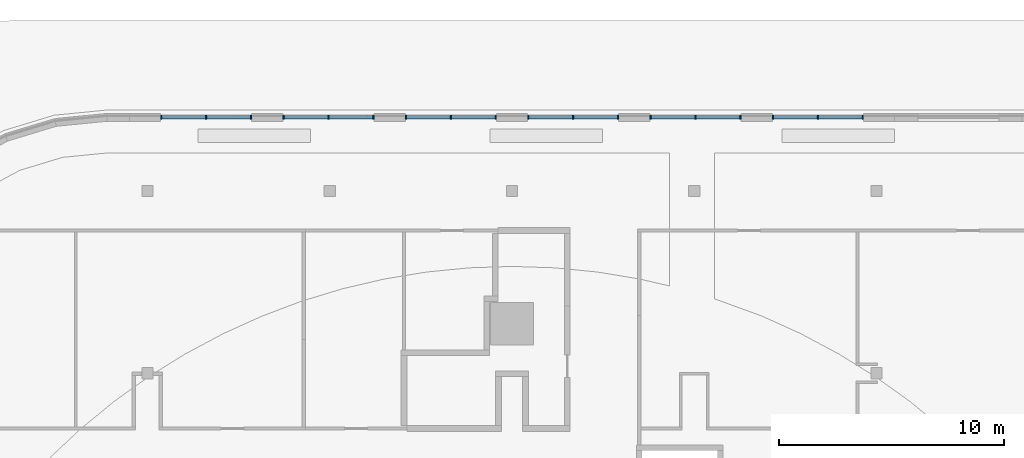
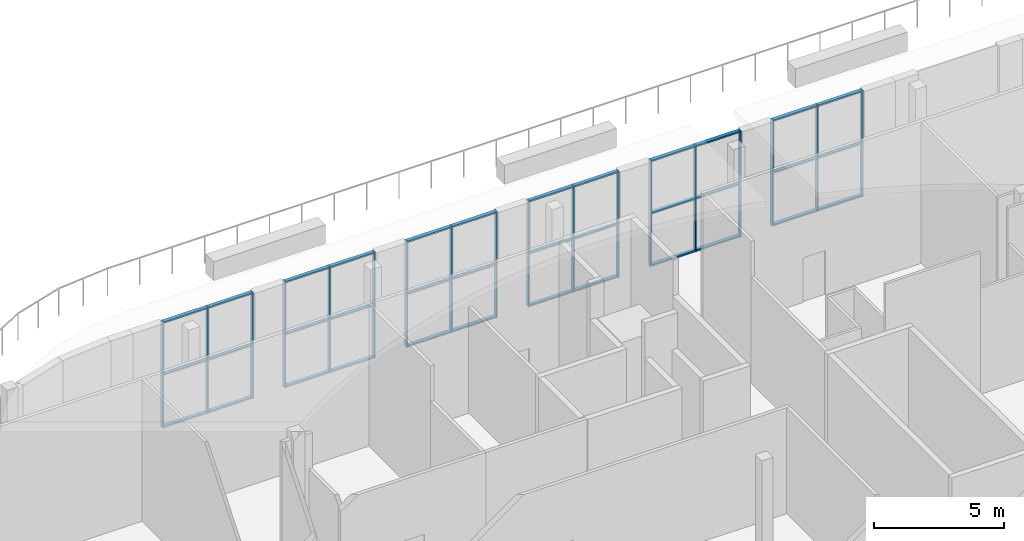
# One storey, part 4 of 17: 54 members, 6 elements without a shape of their own.
"""IFC4 building model written with IfcOpenShell, lengths in metres."""

from ifc_helpers import new_model, si_unit, direction, frame, origin, origin_2d, place, context, subcontext, project, spatial, rectangle, extrude, material, material_profile, profile_set, type_object, element, aggregate, save


model = new_model("IFC4")

# Units and contexts
model_context = context("Model", 3, precision=1e-05, world=origin(), true_north=direction((0.0, 1.0)))
body_context = subcontext(model_context, "Body", "Model", "MODEL_VIEW")
ifc_project = project(units=[si_unit("LENGTHUNIT", "METRE"), si_unit("AREAUNIT", "SQUARE_METRE"), si_unit("VOLUMEUNIT", "CUBIC_METRE"), si_unit("PLANEANGLEUNIT", "RADIAN"), si_unit("MASSUNIT", "GRAM", prefix="KILO")], contexts=[model_context])

# Site, building, storey
site_placement = place(None, origin())
site = spatial("IfcSite", under=ifc_project, at=site_placement, CompositionType="ELEMENT")
building_placement = place(site_placement, origin())
building = spatial("IfcBuilding", under=site, at=building_placement, Name="Torre Triforio", CompositionType="ELEMENT")
storey_placement = place(building_placement, frame((0.0, 0.0, 13.0)))
storey = spatial("IfcBuildingStorey", under=building, at=storey_placement, Name="L02", CompositionType="ELEMENT", Elevation=13.0)

# Curtain wall, members
ifc_material_1 = material(Name="Aluminium mullion and transom frame with clear laminated glass", Category="aluminium")
curtain_wall_type = type_object("IfcCurtainWallType", Name="Studio foyer curtain wall ECW2", PredefinedType="NOTDEFINED", material=ifc_material_1)
curtain_wall_1_placement = place(storey_placement, origin())
curtain_wall_1 = element("IfcCurtainWall", 1, at=curtain_wall_1_placement, inside=storey, type_object=curtain_wall_type, Name="Studio foyer curtain wall L02 18.1.2.1", PredefinedType="NOTDEFINED")
ifc_material_2 = material(Name="Anodised aluminium extrusion", Category="aluminium")
ifc_material_profile_1 = material_profile(ifc_material_2, rectangle(XDim=0.179931640625, YDim=0.06005859375, at=origin_2d()), Name="ECW2 MULLION 60x180")
ifc_profile_set_1 = profile_set([ifc_material_profile_1], Name="Anodised aluminium extrusion")
member_type_1 = type_object("IfcMemberType", Name="ECW2 mullion 60 x 180", PredefinedType="MULLION", material=ifc_profile_set_1)
member_1_placement = place(storey_placement, frame((15.584228515625, 35.675048828125, 0.0), z_axis=(0.0, 0.0, 1.0), x_axis=(0.0, -1.0, 0.0)))
member_1 = element("IfcMember", 2, at=member_1_placement, type_object=member_type_1, Name="ECW2 mullion 1", PredefinedType="MULLION", context=body_context, shape_type="SweptSolid", body=[
    extrude(rectangle(XDim=0.179931640625, YDim=0.06005859375, at=origin_2d()), origin(), (0.0, 0.0, 1.0), 5.0),
])
member_2_placement = place(storey_placement, frame((13.58935546875, 35.675048828125, 0.0), z_axis=(0.0, 0.0, 1.0), x_axis=(0.0, -1.0, 0.0)))
member_2 = element("IfcMember", 3, at=member_2_placement, type_object=member_type_1, Name="ECW2 mullion 2", PredefinedType="MULLION", context=body_context, shape_type="SweptSolid", body=[
    extrude(rectangle(XDim=0.179931640625, YDim=0.06005859375, at=origin_2d()), origin(), (0.0, 0.0, 1.0), 5.0),
])
member_3_placement = place(storey_placement, frame((11.59423828125, 35.675048828125, 0.0), z_axis=(0.0, 0.0, 1.0), x_axis=(0.0, -1.0, 0.0)))
member_3 = element("IfcMember", 4, at=member_3_placement, type_object=member_type_1, Name="ECW2 mullion 3", PredefinedType="MULLION", context=body_context, shape_type="SweptSolid", body=[
    extrude(rectangle(XDim=0.179931640625, YDim=0.06005859375, at=origin_2d()), origin(), (0.0, 0.0, 1.0), 5.0),
])

curtain_wall_2_placement = place(storey_placement, origin())
curtain_wall_2 = element("IfcCurtainWall", 5, at=curtain_wall_2_placement, inside=storey, type_object=curtain_wall_type, Name="Studio foyer curtain wall L02 18.1.2.2", PredefinedType="NOTDEFINED")
member_4_placement = place(storey_placement, frame((10.148681640625, 35.675048828125, 0.0), z_axis=(0.0, 0.0, 1.0), x_axis=(0.0, -1.0, 0.0)))
member_4 = element("IfcMember", 6, at=member_4_placement, type_object=member_type_1, Name="ECW2 mullion 1", PredefinedType="MULLION", context=body_context, shape_type="SweptSolid", body=[
    extrude(rectangle(XDim=0.179931640625, YDim=0.06005859375, at=origin_2d()), origin(), (0.0, 0.0, 1.0), 5.0),
])
member_5_placement = place(storey_placement, frame((8.153564453125, 35.675048828125, 0.0), z_axis=(0.0, 0.0, 1.0), x_axis=(0.0, -1.0, 0.0)))
member_5 = element("IfcMember", 7, at=member_5_placement, type_object=member_type_1, Name="ECW2 mullion 2", PredefinedType="MULLION", context=body_context, shape_type="SweptSolid", body=[
    extrude(rectangle(XDim=0.179931640625, YDim=0.06005859375, at=origin_2d()), origin(), (0.0, 0.0, 1.0), 5.0),
])
member_6_placement = place(storey_placement, frame((6.15869140625, 35.675048828125, 0.0), z_axis=(0.0, 0.0, 1.0), x_axis=(0.0, -1.0, 0.0)))
member_6 = element("IfcMember", 8, at=member_6_placement, type_object=member_type_1, Name="ECW2 mullion 3", PredefinedType="MULLION", context=body_context, shape_type="SweptSolid", body=[
    extrude(rectangle(XDim=0.179931640625, YDim=0.06005859375, at=origin_2d()), origin(), (0.0, 0.0, 1.0), 5.0),
])

curtain_wall_3_placement = place(storey_placement, origin())
curtain_wall_3 = element("IfcCurtainWall", 9, at=curtain_wall_3_placement, inside=storey, type_object=curtain_wall_type, Name="Studio foyer curtain wall L02 18.1.2.3", PredefinedType="NOTDEFINED")
member_7_placement = place(storey_placement, frame((4.712890625, 35.675048828125, 0.0), z_axis=(0.0, 0.0, 1.0), x_axis=(0.0, -1.0, 0.0)))
member_7 = element("IfcMember", 10, at=member_7_placement, type_object=member_type_1, Name="ECW2 mullion 1", PredefinedType="MULLION", context=body_context, shape_type="SweptSolid", body=[
    extrude(rectangle(XDim=0.179931640625, YDim=0.06005859375, at=origin_2d()), origin(), (0.0, 0.0, 1.0), 5.0),
])
member_8_placement = place(storey_placement, frame((2.718017578125, 35.675048828125, 0.0), z_axis=(0.0, 0.0, 1.0), x_axis=(0.0, -1.0, 0.0)))
member_8 = element("IfcMember", 11, at=member_8_placement, type_object=member_type_1, Name="ECW2 mullion 2", PredefinedType="MULLION", context=body_context, shape_type="SweptSolid", body=[
    extrude(rectangle(XDim=0.179931640625, YDim=0.06005859375, at=origin_2d()), origin(), (0.0, 0.0, 1.0), 5.0),
])
member_9_placement = place(storey_placement, frame((0.722900390625, 35.675048828125, 0.0), z_axis=(0.0, 0.0, 1.0), x_axis=(0.0, -1.0, 0.0)))
member_9 = element("IfcMember", 12, at=member_9_placement, type_object=member_type_1, Name="ECW2 mullion 3", PredefinedType="MULLION", context=body_context, shape_type="SweptSolid", body=[
    extrude(rectangle(XDim=0.179931640625, YDim=0.06005859375, at=origin_2d()), origin(), (0.0, 0.0, 1.0), 5.0),
])

curtain_wall_4_placement = place(storey_placement, origin())
curtain_wall_4 = element("IfcCurtainWall", 13, at=curtain_wall_4_placement, inside=storey, type_object=curtain_wall_type, Name="Studio foyer curtain wall L02 18.1.2.4", PredefinedType="NOTDEFINED")
member_10_placement = place(storey_placement, frame((-0.722900390625, 35.675048828125, 0.0), z_axis=(0.0, 0.0, 1.0), x_axis=(0.0, -1.0, 0.0)))
member_10 = element("IfcMember", 14, at=member_10_placement, type_object=member_type_1, Name="ECW2 mullion 1", PredefinedType="MULLION", context=body_context, shape_type="SweptSolid", body=[
    extrude(rectangle(XDim=0.179931640625, YDim=0.06005859375, at=origin_2d()), origin(), (0.0, 0.0, 1.0), 5.0),
])
member_11_placement = place(storey_placement, frame((-2.718017578125, 35.675048828125, 0.0), z_axis=(0.0, 0.0, 1.0), x_axis=(0.0, -1.0, 0.0)))
member_11 = element("IfcMember", 15, at=member_11_placement, type_object=member_type_1, Name="ECW2 mullion 2", PredefinedType="MULLION", context=body_context, shape_type="SweptSolid", body=[
    extrude(rectangle(XDim=0.179931640625, YDim=0.06005859375, at=origin_2d()), origin(), (0.0, 0.0, 1.0), 5.0),
])
member_12_placement = place(storey_placement, frame((-4.712890625, 35.675048828125, 0.0), z_axis=(0.0, 0.0, 1.0), x_axis=(0.0, -1.0, 0.0)))
member_12 = element("IfcMember", 16, at=member_12_placement, type_object=member_type_1, Name="ECW2 mullion 3", PredefinedType="MULLION", context=body_context, shape_type="SweptSolid", body=[
    extrude(rectangle(XDim=0.179931640625, YDim=0.06005859375, at=origin_2d()), origin(), (0.0, 0.0, 1.0), 5.0),
])

curtain_wall_5_placement = place(storey_placement, origin())
curtain_wall_5 = element("IfcCurtainWall", 17, at=curtain_wall_5_placement, inside=storey, type_object=curtain_wall_type, Name="Studio foyer curtain wall L02 18.1.2.5", PredefinedType="NOTDEFINED")
member_13_placement = place(storey_placement, frame((-6.15869140625, 35.675048828125, 0.0), z_axis=(0.0, 0.0, 1.0), x_axis=(0.0, -1.0, 0.0)))
member_13 = element("IfcMember", 18, at=member_13_placement, type_object=member_type_1, Name="ECW2 mullion 1", PredefinedType="MULLION", context=body_context, shape_type="SweptSolid", body=[
    extrude(rectangle(XDim=0.179931640625, YDim=0.06005859375, at=origin_2d()), origin(), (0.0, 0.0, 1.0), 5.0),
])
member_14_placement = place(storey_placement, frame((-8.153564453125, 35.675048828125, 0.0), z_axis=(0.0, 0.0, 1.0), x_axis=(0.0, -1.0, 0.0)))
member_14 = element("IfcMember", 19, at=member_14_placement, type_object=member_type_1, Name="ECW2 mullion 2", PredefinedType="MULLION", context=body_context, shape_type="SweptSolid", body=[
    extrude(rectangle(XDim=0.179931640625, YDim=0.06005859375, at=origin_2d()), origin(), (0.0, 0.0, 1.0), 5.0),
])
member_15_placement = place(storey_placement, frame((-10.148681640625, 35.675048828125, 0.0), z_axis=(0.0, 0.0, 1.0), x_axis=(0.0, -1.0, 0.0)))
member_15 = element("IfcMember", 20, at=member_15_placement, type_object=member_type_1, Name="ECW2 mullion 3", PredefinedType="MULLION", context=body_context, shape_type="SweptSolid", body=[
    extrude(rectangle(XDim=0.179931640625, YDim=0.06005859375, at=origin_2d()), origin(), (0.0, 0.0, 1.0), 5.0),
])

curtain_wall_6_placement = place(storey_placement, origin())
curtain_wall_6 = element("IfcCurtainWall", 21, at=curtain_wall_6_placement, inside=storey, type_object=curtain_wall_type, Name="Studio foyer curtain wall L02 18.1.2.6", PredefinedType="NOTDEFINED")
member_16_placement = place(storey_placement, frame((-11.59423828125, 35.675048828125, 0.0), z_axis=(0.0, 0.0, 1.0), x_axis=(0.0, -1.0, 0.0)))
member_16 = element("IfcMember", 22, at=member_16_placement, type_object=member_type_1, Name="ECW2 mullion 1", PredefinedType="MULLION", context=body_context, shape_type="SweptSolid", body=[
    extrude(rectangle(XDim=0.179931640625, YDim=0.06005859375, at=origin_2d()), origin(), (0.0, 0.0, 1.0), 5.0),
])
member_17_placement = place(storey_placement, frame((-13.58935546875, 35.675048828125, 0.0), z_axis=(0.0, 0.0, 1.0), x_axis=(0.0, -1.0, 0.0)))
member_17 = element("IfcMember", 23, at=member_17_placement, type_object=member_type_1, Name="ECW2 mullion 2", PredefinedType="MULLION", context=body_context, shape_type="SweptSolid", body=[
    extrude(rectangle(XDim=0.179931640625, YDim=0.06005859375, at=origin_2d()), origin(), (0.0, 0.0, 1.0), 5.0),
])
member_18_placement = place(storey_placement, frame((-15.584228515625, 35.675048828125, 0.0), z_axis=(0.0, 0.0, 1.0), x_axis=(0.0, -1.0, 0.0)))
member_18 = element("IfcMember", 24, at=member_18_placement, type_object=member_type_1, Name="ECW2 mullion 3", PredefinedType="MULLION", context=body_context, shape_type="SweptSolid", body=[
    extrude(rectangle(XDim=0.179931640625, YDim=0.06005859375, at=origin_2d()), origin(), (0.0, 0.0, 1.0), 5.0),
])

# Member
ifc_material_profile_2 = material_profile(ifc_material_2, rectangle(XDim=0.159912109375, YDim=0.070068359375, at=origin_2d()), Name="ECW2 TRANSOM 70x160")
ifc_profile_set_2 = profile_set([ifc_material_profile_2], Name="Anodised aluminium extrusion")
member_type_2 = type_object("IfcMemberType", Name="ECW2 transom 70 x 160", PredefinedType="USERDEFINED", material=ifc_profile_set_2)
member_19_placement = place(storey_placement, frame((15.55419921875, 35.675048828125, 0.034912109375), z_axis=(-1.0, 0.0, 0.0), x_axis=(0.0, -1.0, 0.0)))
member_19 = element("IfcMember", 25, at=member_19_placement, type_object=member_type_2, Name="ECW2 transom 1.1", ObjectType="TRANSOM", PredefinedType="USERDEFINED", context=body_context, shape_type="SweptSolid", body=[
    extrude(rectangle(XDim=0.159912109375, YDim=0.070068359375, at=origin_2d()), origin(), (0.0, 0.0, 1.0), 1.934814453125),
])

member_20_placement = place(storey_placement, frame((15.55419921875, 35.675048828125, 2.5), z_axis=(-1.0, 0.0, 0.0), x_axis=(0.0, -1.0, 0.0)))
member_20 = element("IfcMember", 26, at=member_20_placement, type_object=member_type_2, Name="ECW2 transom 1.2", ObjectType="TRANSOM", PredefinedType="USERDEFINED", context=body_context, shape_type="SweptSolid", body=[
    extrude(rectangle(XDim=0.159912109375, YDim=0.070068359375, at=origin_2d()), origin(), (0.0, 0.0, 1.0), 1.934814453125),
])

member_21_placement = place(storey_placement, frame((15.55419921875, 35.675048828125, 4.965087890625), z_axis=(-1.0, 0.0, 0.0), x_axis=(0.0, -1.0, 0.0)))
member_21 = element("IfcMember", 27, at=member_21_placement, type_object=member_type_2, Name="ECW2 transom 1.3", ObjectType="TRANSOM", PredefinedType="USERDEFINED", context=body_context, shape_type="SweptSolid", body=[
    extrude(rectangle(XDim=0.159912109375, YDim=0.070068359375, at=origin_2d()), origin(), (0.0, 0.0, 1.0), 1.934814453125),
])

member_22_placement = place(storey_placement, frame((13.559326171875, 35.675048828125, 0.034912109375), z_axis=(-1.0, 0.0, 0.0), x_axis=(0.0, -1.0, 0.0)))
member_22 = element("IfcMember", 28, at=member_22_placement, type_object=member_type_2, Name="ECW2 transom 2.1", ObjectType="TRANSOM", PredefinedType="USERDEFINED", context=body_context, shape_type="SweptSolid", body=[
    extrude(rectangle(XDim=0.159912109375, YDim=0.070068359375, at=origin_2d()), origin(), (0.0, 0.0, 1.0), 1.93505859375),
])

member_23_placement = place(storey_placement, frame((13.559326171875, 35.675048828125, 2.5), z_axis=(-1.0, 0.0, 0.0), x_axis=(0.0, -1.0, 0.0)))
member_23 = element("IfcMember", 29, at=member_23_placement, type_object=member_type_2, Name="ECW2 transom 2.2", ObjectType="TRANSOM", PredefinedType="USERDEFINED", context=body_context, shape_type="SweptSolid", body=[
    extrude(rectangle(XDim=0.159912109375, YDim=0.070068359375, at=origin_2d()), origin(), (0.0, 0.0, 1.0), 1.93505859375),
])

member_24_placement = place(storey_placement, frame((13.559326171875, 35.675048828125, 4.965087890625), z_axis=(-1.0, 0.0, 0.0), x_axis=(0.0, -1.0, 0.0)))
member_24 = element("IfcMember", 30, at=member_24_placement, type_object=member_type_2, Name="ECW2 transom 2.3", ObjectType="TRANSOM", PredefinedType="USERDEFINED", context=body_context, shape_type="SweptSolid", body=[
    extrude(rectangle(XDim=0.159912109375, YDim=0.070068359375, at=origin_2d()), origin(), (0.0, 0.0, 1.0), 1.93505859375),
])

aggregate(curtain_wall_1, [member_1, member_2, member_3, member_19, member_20, member_21, member_22, member_23, member_24])

member_25_placement = place(storey_placement, frame((10.11865234375, 35.675048828125, 0.034912109375), z_axis=(-1.0, 0.0, 0.0), x_axis=(0.0, -1.0, 0.0)))
member_25 = element("IfcMember", 31, at=member_25_placement, type_object=member_type_2, Name="ECW2 transom 1.1", ObjectType="TRANSOM", PredefinedType="USERDEFINED", context=body_context, shape_type="SweptSolid", body=[
    extrude(rectangle(XDim=0.159912109375, YDim=0.070068359375, at=origin_2d()), origin(), (0.0, 0.0, 1.0), 1.93505859375),
])

member_26_placement = place(storey_placement, frame((10.11865234375, 35.675048828125, 2.5), z_axis=(-1.0, 0.0, 0.0), x_axis=(0.0, -1.0, 0.0)))
member_26 = element("IfcMember", 32, at=member_26_placement, type_object=member_type_2, Name="ECW2 transom 1.2", ObjectType="TRANSOM", PredefinedType="USERDEFINED", context=body_context, shape_type="SweptSolid", body=[
    extrude(rectangle(XDim=0.159912109375, YDim=0.070068359375, at=origin_2d()), origin(), (0.0, 0.0, 1.0), 1.93505859375),
])

member_27_placement = place(storey_placement, frame((10.11865234375, 35.675048828125, 4.965087890625), z_axis=(-1.0, 0.0, 0.0), x_axis=(0.0, -1.0, 0.0)))
member_27 = element("IfcMember", 33, at=member_27_placement, type_object=member_type_2, Name="ECW2 transom 1.3", ObjectType="TRANSOM", PredefinedType="USERDEFINED", context=body_context, shape_type="SweptSolid", body=[
    extrude(rectangle(XDim=0.159912109375, YDim=0.070068359375, at=origin_2d()), origin(), (0.0, 0.0, 1.0), 1.93505859375),
])

member_28_placement = place(storey_placement, frame((8.12353515625, 35.675048828125, 0.034912109375), z_axis=(-1.0, 0.0, 0.0), x_axis=(0.0, -1.0, 0.0)))
member_28 = element("IfcMember", 34, at=member_28_placement, type_object=member_type_2, Name="ECW2 transom 2.1", ObjectType="TRANSOM", PredefinedType="USERDEFINED", context=body_context, shape_type="SweptSolid", body=[
    extrude(rectangle(XDim=0.159912109375, YDim=0.070068359375, at=origin_2d()), origin(), (0.0, 0.0, 1.0), 1.934814453125),
])

member_29_placement = place(storey_placement, frame((8.12353515625, 35.675048828125, 2.5), z_axis=(-1.0, 0.0, 0.0), x_axis=(0.0, -1.0, 0.0)))
member_29 = element("IfcMember", 35, at=member_29_placement, type_object=member_type_2, Name="ECW2 transom 2.2", ObjectType="TRANSOM", PredefinedType="USERDEFINED", context=body_context, shape_type="SweptSolid", body=[
    extrude(rectangle(XDim=0.159912109375, YDim=0.070068359375, at=origin_2d()), origin(), (0.0, 0.0, 1.0), 1.934814453125),
])

member_30_placement = place(storey_placement, frame((8.12353515625, 35.675048828125, 4.965087890625), z_axis=(-1.0, 0.0, 0.0), x_axis=(0.0, -1.0, 0.0)))
member_30 = element("IfcMember", 36, at=member_30_placement, type_object=member_type_2, Name="ECW2 transom 2.3", ObjectType="TRANSOM", PredefinedType="USERDEFINED", context=body_context, shape_type="SweptSolid", body=[
    extrude(rectangle(XDim=0.159912109375, YDim=0.070068359375, at=origin_2d()), origin(), (0.0, 0.0, 1.0), 1.934814453125),
])

aggregate(curtain_wall_2, [member_4, member_5, member_6, member_25, member_26, member_27, member_28, member_29, member_30])

member_31_placement = place(storey_placement, frame((4.682861328125, 35.675048828125, 0.034912109375), z_axis=(-1.0, 0.0, 0.0), x_axis=(0.0, -1.0, 0.0)))
member_31 = element("IfcMember", 37, at=member_31_placement, type_object=member_type_2, Name="ECW2 transom 1.1", ObjectType="TRANSOM", PredefinedType="USERDEFINED", context=body_context, shape_type="SweptSolid", body=[
    extrude(rectangle(XDim=0.159912109375, YDim=0.070068359375, at=origin_2d()), origin(), (0.0, 0.0, 1.0), 1.93505859375),
])

member_32_placement = place(storey_placement, frame((4.682861328125, 35.675048828125, 2.5), z_axis=(-1.0, 0.0, 0.0), x_axis=(0.0, -1.0, 0.0)))
member_32 = element("IfcMember", 38, at=member_32_placement, type_object=member_type_2, Name="ECW2 transom 1.2", ObjectType="TRANSOM", PredefinedType="USERDEFINED", context=body_context, shape_type="SweptSolid", body=[
    extrude(rectangle(XDim=0.159912109375, YDim=0.070068359375, at=origin_2d()), origin(), (0.0, 0.0, 1.0), 1.93505859375),
])

member_33_placement = place(storey_placement, frame((4.682861328125, 35.675048828125, 4.965087890625), z_axis=(-1.0, 0.0, 0.0), x_axis=(0.0, -1.0, 0.0)))
member_33 = element("IfcMember", 39, at=member_33_placement, type_object=member_type_2, Name="ECW2 transom 1.3", ObjectType="TRANSOM", PredefinedType="USERDEFINED", context=body_context, shape_type="SweptSolid", body=[
    extrude(rectangle(XDim=0.159912109375, YDim=0.070068359375, at=origin_2d()), origin(), (0.0, 0.0, 1.0), 1.93505859375),
])

member_34_placement = place(storey_placement, frame((2.68798828125, 35.675048828125, 0.034912109375), z_axis=(-1.0, 0.0, 0.0), x_axis=(0.0, -1.0, 0.0)))
member_34 = element("IfcMember", 40, at=member_34_placement, type_object=member_type_2, Name="ECW2 transom 2.1", ObjectType="TRANSOM", PredefinedType="USERDEFINED", context=body_context, shape_type="SweptSolid", body=[
    extrude(rectangle(XDim=0.159912109375, YDim=0.070068359375, at=origin_2d()), origin(), (0.0, 0.0, 1.0), 1.93505859375),
])

member_35_placement = place(storey_placement, frame((2.68798828125, 35.675048828125, 2.5), z_axis=(-1.0, 0.0, 0.0), x_axis=(0.0, -1.0, 0.0)))
member_35 = element("IfcMember", 41, at=member_35_placement, type_object=member_type_2, Name="ECW2 transom 2.2", ObjectType="TRANSOM", PredefinedType="USERDEFINED", context=body_context, shape_type="SweptSolid", body=[
    extrude(rectangle(XDim=0.159912109375, YDim=0.070068359375, at=origin_2d()), origin(), (0.0, 0.0, 1.0), 1.93505859375),
])

member_36_placement = place(storey_placement, frame((2.68798828125, 35.675048828125, 4.965087890625), z_axis=(-1.0, 0.0, 0.0), x_axis=(0.0, -1.0, 0.0)))
member_36 = element("IfcMember", 42, at=member_36_placement, type_object=member_type_2, Name="ECW2 transom 2.3", ObjectType="TRANSOM", PredefinedType="USERDEFINED", context=body_context, shape_type="SweptSolid", body=[
    extrude(rectangle(XDim=0.159912109375, YDim=0.070068359375, at=origin_2d()), origin(), (0.0, 0.0, 1.0), 1.93505859375),
])

aggregate(curtain_wall_3, [member_7, member_8, member_9, member_31, member_32, member_33, member_34, member_35, member_36])

member_37_placement = place(storey_placement, frame((-0.7529296875, 35.675048828125, 0.034912109375), z_axis=(-1.0, 0.0, 0.0), x_axis=(0.0, -1.0, 0.0)))
member_37 = element("IfcMember", 43, at=member_37_placement, type_object=member_type_2, Name="ECW2 transom 1.1", ObjectType="TRANSOM", PredefinedType="USERDEFINED", context=body_context, shape_type="SweptSolid", body=[
    extrude(rectangle(XDim=0.159912109375, YDim=0.070068359375, at=origin_2d()), origin(), (0.0, 0.0, 1.0), 1.93505859375),
])

member_38_placement = place(storey_placement, frame((-0.7529296875, 35.675048828125, 2.5), z_axis=(-1.0, 0.0, 0.0), x_axis=(0.0, -1.0, 0.0)))
member_38 = element("IfcMember", 44, at=member_38_placement, type_object=member_type_2, Name="ECW2 transom 1.2", ObjectType="TRANSOM", PredefinedType="USERDEFINED", context=body_context, shape_type="SweptSolid", body=[
    extrude(rectangle(XDim=0.159912109375, YDim=0.070068359375, at=origin_2d()), origin(), (0.0, 0.0, 1.0), 1.93505859375),
])

member_39_placement = place(storey_placement, frame((-0.7529296875, 35.675048828125, 4.965087890625), z_axis=(-1.0, 0.0, 0.0), x_axis=(0.0, -1.0, 0.0)))
member_39 = element("IfcMember", 45, at=member_39_placement, type_object=member_type_2, Name="ECW2 transom 1.3", ObjectType="TRANSOM", PredefinedType="USERDEFINED", context=body_context, shape_type="SweptSolid", body=[
    extrude(rectangle(XDim=0.159912109375, YDim=0.070068359375, at=origin_2d()), origin(), (0.0, 0.0, 1.0), 1.93505859375),
])

member_40_placement = place(storey_placement, frame((-2.747802734375, 35.675048828125, 0.034912109375), z_axis=(-1.0, 0.0, 0.0), x_axis=(0.0, -1.0, 0.0)))
member_40 = element("IfcMember", 46, at=member_40_placement, type_object=member_type_2, Name="ECW2 transom 2.1", ObjectType="TRANSOM", PredefinedType="USERDEFINED", context=body_context, shape_type="SweptSolid", body=[
    extrude(rectangle(XDim=0.159912109375, YDim=0.070068359375, at=origin_2d()), origin(), (0.0, 0.0, 1.0), 1.93505859375),
])

member_41_placement = place(storey_placement, frame((-2.747802734375, 35.675048828125, 2.5), z_axis=(-1.0, 0.0, 0.0), x_axis=(0.0, -1.0, 0.0)))
member_41 = element("IfcMember", 47, at=member_41_placement, type_object=member_type_2, Name="ECW2 transom 2.2", ObjectType="TRANSOM", PredefinedType="USERDEFINED", context=body_context, shape_type="SweptSolid", body=[
    extrude(rectangle(XDim=0.159912109375, YDim=0.070068359375, at=origin_2d()), origin(), (0.0, 0.0, 1.0), 1.93505859375),
])

member_42_placement = place(storey_placement, frame((-2.747802734375, 35.675048828125, 4.965087890625), z_axis=(-1.0, 0.0, 0.0), x_axis=(0.0, -1.0, 0.0)))
member_42 = element("IfcMember", 48, at=member_42_placement, type_object=member_type_2, Name="ECW2 transom 2.3", ObjectType="TRANSOM", PredefinedType="USERDEFINED", context=body_context, shape_type="SweptSolid", body=[
    extrude(rectangle(XDim=0.159912109375, YDim=0.070068359375, at=origin_2d()), origin(), (0.0, 0.0, 1.0), 1.93505859375),
])

aggregate(curtain_wall_4, [member_10, member_11, member_12, member_37, member_38, member_39, member_40, member_41, member_42])

member_43_placement = place(storey_placement, frame((-6.188720703125, 35.675048828125, 0.034912109375), z_axis=(-1.0, 0.0, 0.0), x_axis=(0.0, -1.0, 0.0)))
member_43 = element("IfcMember", 49, at=member_43_placement, type_object=member_type_2, Name="ECW2 transom 1.1", ObjectType="TRANSOM", PredefinedType="USERDEFINED", context=body_context, shape_type="SweptSolid", body=[
    extrude(rectangle(XDim=0.159912109375, YDim=0.070068359375, at=origin_2d()), origin(), (0.0, 0.0, 1.0), 1.934814453125),
])

member_44_placement = place(storey_placement, frame((-6.188720703125, 35.675048828125, 2.5), z_axis=(-1.0, 0.0, 0.0), x_axis=(0.0, -1.0, 0.0)))
member_44 = element("IfcMember", 50, at=member_44_placement, type_object=member_type_2, Name="ECW2 transom 1.2", ObjectType="TRANSOM", PredefinedType="USERDEFINED", context=body_context, shape_type="SweptSolid", body=[
    extrude(rectangle(XDim=0.159912109375, YDim=0.070068359375, at=origin_2d()), origin(), (0.0, 0.0, 1.0), 1.934814453125),
])

member_45_placement = place(storey_placement, frame((-6.188720703125, 35.675048828125, 4.965087890625), z_axis=(-1.0, 0.0, 0.0), x_axis=(0.0, -1.0, 0.0)))
member_45 = element("IfcMember", 51, at=member_45_placement, type_object=member_type_2, Name="ECW2 transom 1.3", ObjectType="TRANSOM", PredefinedType="USERDEFINED", context=body_context, shape_type="SweptSolid", body=[
    extrude(rectangle(XDim=0.159912109375, YDim=0.070068359375, at=origin_2d()), origin(), (0.0, 0.0, 1.0), 1.934814453125),
])

member_46_placement = place(storey_placement, frame((-8.18359375, 35.675048828125, 0.034912109375), z_axis=(-1.0, 0.0, 0.0), x_axis=(0.0, -1.0, 0.0)))
member_46 = element("IfcMember", 52, at=member_46_placement, type_object=member_type_2, Name="ECW2 transom 2.1", ObjectType="TRANSOM", PredefinedType="USERDEFINED", context=body_context, shape_type="SweptSolid", body=[
    extrude(rectangle(XDim=0.159912109375, YDim=0.070068359375, at=origin_2d()), origin(), (0.0, 0.0, 1.0), 1.93505859375),
])

member_47_placement = place(storey_placement, frame((-8.18359375, 35.675048828125, 2.5), z_axis=(-1.0, 0.0, 0.0), x_axis=(0.0, -1.0, 0.0)))
member_47 = element("IfcMember", 53, at=member_47_placement, type_object=member_type_2, Name="ECW2 transom 2.2", ObjectType="TRANSOM", PredefinedType="USERDEFINED", context=body_context, shape_type="SweptSolid", body=[
    extrude(rectangle(XDim=0.159912109375, YDim=0.070068359375, at=origin_2d()), origin(), (0.0, 0.0, 1.0), 1.93505859375),
])

member_48_placement = place(storey_placement, frame((-8.18359375, 35.675048828125, 4.965087890625), z_axis=(-1.0, 0.0, 0.0), x_axis=(0.0, -1.0, 0.0)))
member_48 = element("IfcMember", 54, at=member_48_placement, type_object=member_type_2, Name="ECW2 transom 2.3", ObjectType="TRANSOM", PredefinedType="USERDEFINED", context=body_context, shape_type="SweptSolid", body=[
    extrude(rectangle(XDim=0.159912109375, YDim=0.070068359375, at=origin_2d()), origin(), (0.0, 0.0, 1.0), 1.93505859375),
])

aggregate(curtain_wall_5, [member_13, member_14, member_15, member_43, member_44, member_45, member_46, member_47, member_48])

member_49_placement = place(storey_placement, frame((-11.624267578125, 35.675048828125, 0.034912109375), z_axis=(-1.0, 0.0, 0.0), x_axis=(0.0, -1.0, 0.0)))
member_49 = element("IfcMember", 55, at=member_49_placement, type_object=member_type_2, Name="ECW2 transom 1.1", ObjectType="TRANSOM", PredefinedType="USERDEFINED", context=body_context, shape_type="SweptSolid", body=[
    extrude(rectangle(XDim=0.159912109375, YDim=0.070068359375, at=origin_2d()), origin(), (0.0, 0.0, 1.0), 1.93505859375),
])

member_50_placement = place(storey_placement, frame((-11.624267578125, 35.675048828125, 2.5), z_axis=(-1.0, 0.0, 0.0), x_axis=(0.0, -1.0, 0.0)))
member_50 = element("IfcMember", 56, at=member_50_placement, type_object=member_type_2, Name="ECW2 transom 1.2", ObjectType="TRANSOM", PredefinedType="USERDEFINED", context=body_context, shape_type="SweptSolid", body=[
    extrude(rectangle(XDim=0.159912109375, YDim=0.070068359375, at=origin_2d()), origin(), (0.0, 0.0, 1.0), 1.93505859375),
])

member_51_placement = place(storey_placement, frame((-11.624267578125, 35.675048828125, 4.965087890625), z_axis=(-1.0, 0.0, 0.0), x_axis=(0.0, -1.0, 0.0)))
member_51 = element("IfcMember", 57, at=member_51_placement, type_object=member_type_2, Name="ECW2 transom 1.3", ObjectType="TRANSOM", PredefinedType="USERDEFINED", context=body_context, shape_type="SweptSolid", body=[
    extrude(rectangle(XDim=0.159912109375, YDim=0.070068359375, at=origin_2d()), origin(), (0.0, 0.0, 1.0), 1.93505859375),
])

member_52_placement = place(storey_placement, frame((-13.619384765625, 35.675048828125, 0.034912109375), z_axis=(-1.0, 0.0, 0.0), x_axis=(0.0, -1.0, 0.0)))
member_52 = element("IfcMember", 58, at=member_52_placement, type_object=member_type_2, Name="ECW2 transom 2.1", ObjectType="TRANSOM", PredefinedType="USERDEFINED", context=body_context, shape_type="SweptSolid", body=[
    extrude(rectangle(XDim=0.159912109375, YDim=0.070068359375, at=origin_2d()), origin(), (0.0, 0.0, 1.0), 1.934814453125),
])

member_53_placement = place(storey_placement, frame((-13.619384765625, 35.675048828125, 2.5), z_axis=(-1.0, 0.0, 0.0), x_axis=(0.0, -1.0, 0.0)))
member_53 = element("IfcMember", 59, at=member_53_placement, type_object=member_type_2, Name="ECW2 transom 2.2", ObjectType="TRANSOM", PredefinedType="USERDEFINED", context=body_context, shape_type="SweptSolid", body=[
    extrude(rectangle(XDim=0.159912109375, YDim=0.070068359375, at=origin_2d()), origin(), (0.0, 0.0, 1.0), 1.934814453125),
])

member_54_placement = place(storey_placement, frame((-13.619384765625, 35.675048828125, 4.965087890625), z_axis=(-1.0, 0.0, 0.0), x_axis=(0.0, -1.0, 0.0)))
member_54 = element("IfcMember", 60, at=member_54_placement, type_object=member_type_2, Name="ECW2 transom 2.3", ObjectType="TRANSOM", PredefinedType="USERDEFINED", context=body_context, shape_type="SweptSolid", body=[
    extrude(rectangle(XDim=0.159912109375, YDim=0.070068359375, at=origin_2d()), origin(), (0.0, 0.0, 1.0), 1.934814453125),
])

aggregate(curtain_wall_6, [member_16, member_17, member_18, member_49, member_50, member_51, member_52, member_53, member_54])

save(model, "model.ifc")
